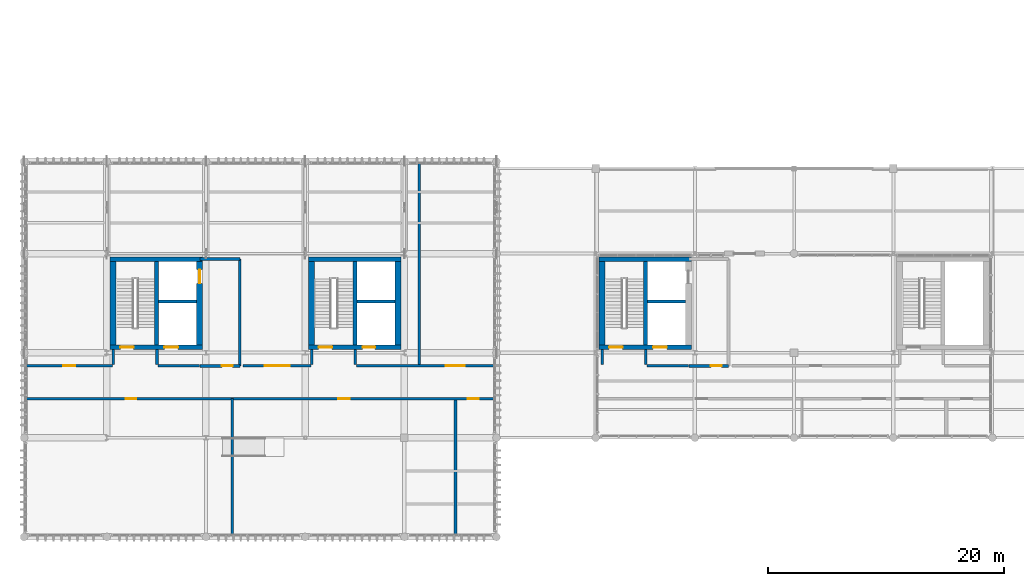
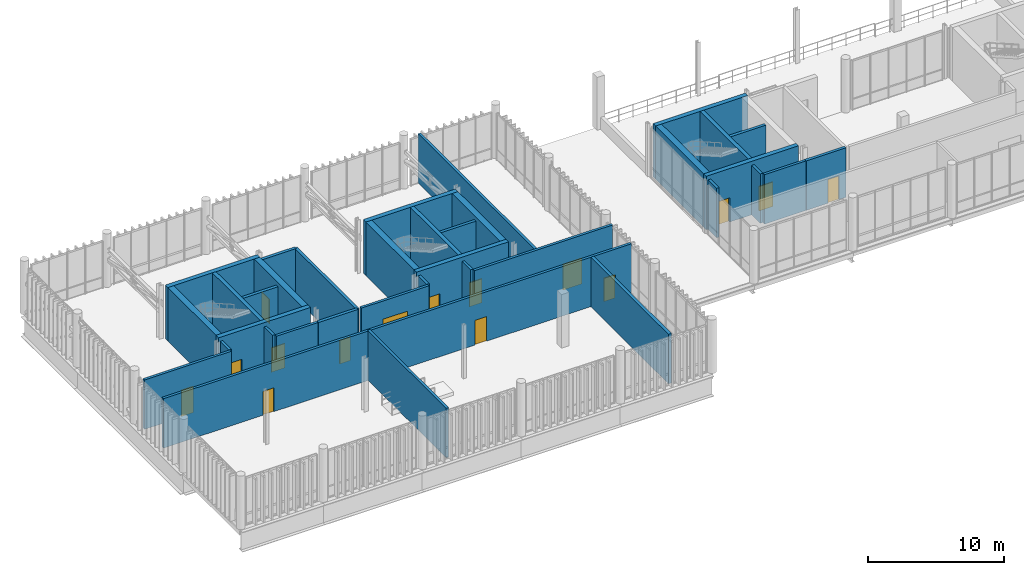
# One storey, part 70 of 81: 36 walls, 15 doors, 15 openings.
"""IFC4 building model written with IfcOpenShell, lengths in metres."""

from ifc_helpers import new_model, si_unit, direction, frame, frame_2d, origin_with_axes, place, context, subcontext, project, spatial, rectangle, extrude, material, layer, layer_set, type_object, element, fill, save


model = new_model("IFC4")

# Units and contexts
model_context = context("Model", 3, precision=1e-05, world=origin_with_axes(), true_north=direction((0.0, 1.0)))
body_context = subcontext(model_context, "Body", "Model", "MODEL_VIEW")
ifc_project = project(units=[si_unit("LENGTHUNIT", "METRE"), si_unit("AREAUNIT", "SQUARE_METRE"), si_unit("VOLUMEUNIT", "CUBIC_METRE"), si_unit("PLANEANGLEUNIT", "RADIAN"), si_unit("MASSUNIT", "GRAM", prefix="KILO"), si_unit("THERMODYNAMICTEMPERATUREUNIT", "KELVIN")], contexts=[model_context])

# Site, building, storey
site_placement = place(None, origin_with_axes())
site = spatial("IfcSite", under=ifc_project, at=site_placement, CompositionType="ELEMENT")
building_placement = place(site_placement, origin_with_axes())
building = spatial("IfcBuilding", under=site, at=building_placement, Name="Montbau Bow Law Courts", CompositionType="ELEMENT")
storey_placement = place(building_placement, frame((0.0, 0.0, 24.9), z_axis=(0.0, 0.0, 1.0), x_axis=(1.0, 0.0, 0.0)))
storey = spatial("IfcBuildingStorey", under=building, at=storey_placement, Name="L05", CompositionType="ELEMENT", Elevation=24.9)

# Wall, opening, door
ifc_material_1 = material(Name="Concrete CSA A23.1 f'c 45 MPa", Category="concrete")
ifc_layer_1 = layer(ifc_material_1, 0.5, Name="Shear Wall", Category="concrete")
ifc_layer_set_1 = layer_set([ifc_layer_1], Name="Concrete CSA A23.1 f'c 45 MPa")
wall_type_1 = type_object("IfcWallType", Name="W-COR-01", PredefinedType="SHEAR", material=ifc_layer_set_1)
wall_1_placement = place(None, frame((21.66, 46.87, 24.9), z_axis=(0.0, 0.0, 1.0), x_axis=(0.0, 1.0, 0.0)))
wall_1 = element("IfcWall", 1, at=wall_1_placement, inside=storey, type_object=wall_type_1, Name="WC-L05-0057:wal_0124", PredefinedType="SHEAR", context=body_context, shape_type="SweptSolid", body=[
    extrude(rectangle(XDim=7.060000000000002, YDim=0.5, at=frame_2d((3.53, 0.0), x_axis=(1.0, 0.0))), origin_with_axes(), (0.0, 0.0, 1.0), 4.8),
])
opening_1_placement = place(None, frame((21.66, 52.66, 24.9), z_axis=(0.0, 0.0, 1.0), x_axis=(0.0, 1.0, 0.0)))
opening_1 = element("IfcOpeningElement", 2, at=opening_1_placement, cuts=wall_1, Name="OP-LD-L05-EL-P2", PredefinedType="OPENING", context=body_context, shape_type="SweptSolid", body=[
    extrude(rectangle(XDim=1.16, YDim=2.2, at=frame_2d((0.0, 1.1), x_axis=(1.0, 0.0))), frame((0.0, 0.26, 0.0), z_axis=(0.0, -1.0, 0.0), x_axis=(1.0, 0.0, 0.0)), (0.0, 0.0, 1.0), 0.52),
])
ifc_material_2 = material(Name="Brushed Stainless Steel Elevator Landing Door", Category="steel")
door_type_1 = type_object("IfcDoorType", Name="LD-PUB-01", OperationType="NOTDEFINED", ParameterTakesPrecedence=False, PredefinedType="DOOR", material=ifc_material_2)
door_1_placement = place(None, frame((21.66, 52.66, 24.9), z_axis=(0.0, 0.0, 1.0), x_axis=(0.0, 1.0, 0.0)))
door_1 = element("IfcDoor", 3, at=door_1_placement, inside=storey, type_object=door_type_1, Name="LD-L05-EL-P2:dor_0063", OperationType="SLIDING_TO_LEFT", OverallHeight=2.2, OverallWidth=1.16, PredefinedType="DOOR", context=body_context, shape_type="SweptSolid", body=[
    extrude(rectangle(XDim=1.16, YDim=2.2, at=frame_2d((0.0, 1.1), x_axis=(1.0, 0.0))), frame((0.0, 0.04, 0.0), z_axis=(0.0, -1.0, 0.0), x_axis=(1.0, 0.0, 0.0)), (0.0, 0.0, 1.0), 0.08),
])
fill(opening_1, door_1)

# Walls
for number, where, z_axis, x_axis, name in (
    (4, (14.34, 53.93, 24.9), (0.0, 0.0, 1.0), (0.0, -1.0, 0.0), "WC-L05-0058:wal_0125"),
    (5, (38.46, 46.87, 24.9), (0.0, 0.0, 1.0), (0.0, 1.0, 0.0), "WC-L05-0120:wal_0187"),
    (6, (31.14, 53.93, 24.9), (0.0, 0.0, 1.0), (0.0, -1.0, 0.0), "WC-L05-0121:wal_0188"),
    (7, (55.74, 53.93, 24.9), (0.0, 0.0, 1.0), (0.0, -1.0, 0.0), "WC-L05-0190:wal_0257"),
):
    element("IfcWall", number, at=place(None, frame(where, z_axis=z_axis, x_axis=x_axis)), inside=storey, type_object=wall_type_1, Name=name, PredefinedType="SHEAR", context=body_context, shape_type="SweptSolid", body=[
        extrude(rectangle(XDim=7.060000000000002, YDim=0.5, at=frame_2d((3.53, 0.0), x_axis=(1.0, 0.0))), origin_with_axes(), (0.0, 0.0, 1.0), 4.8),
    ])

# Wall, openings, doors
ifc_layer_2 = layer(ifc_material_1, 0.38, Name="Shear Wall", Category="concrete")
ifc_layer_set_2 = layer_set([ifc_layer_2], Name="Concrete CSA A23.1 f'c 45 MPa")
wall_type_2 = type_object("IfcWallType", Name="W-COR-04", PredefinedType="SHEAR", material=ifc_layer_set_2)
wall_2_placement = place(None, frame((14.09, 46.68, 24.9), z_axis=(0.0, 0.0, 1.0), x_axis=(1.0, 0.0, 0.0)))
wall_2 = element("IfcWall", 8, at=wall_2_placement, inside=storey, type_object=wall_type_2, Name="WC-L05-0055:wal_0122", PredefinedType="SHEAR", context=body_context, shape_type="SweptSolid", body=[
    extrude(rectangle(XDim=7.82, YDim=0.38, at=frame_2d((3.91, 0.0), x_axis=(1.0, 0.0))), origin_with_axes(), (0.0, 0.0, 1.0), 4.8),
])
opening_2_placement = place(None, frame((15.51, 46.68, 24.9), z_axis=(0.0, 0.0, 1.0), x_axis=(1.0, 0.0, 0.0)))
opening_2 = element("IfcOpeningElement", 9, at=opening_2_placement, cuts=wall_2, Name="OP-D-L05-ST-P1", PredefinedType="OPENING", context=body_context, shape_type="SweptSolid", body=[
    extrude(rectangle(XDim=1.14, YDim=2.18, at=frame_2d((0.0, 1.09), x_axis=(1.0, 0.0))), frame((0.0, 0.2, 0.0), z_axis=(0.0, -1.0, 0.0), x_axis=(1.0, 0.0, 0.0)), (0.0, 0.0, 1.0), 0.4),
])
opening_3_placement = place(None, frame((19.25, 46.68, 24.9), z_axis=(0.0, 0.0, 1.0), x_axis=(1.0, 0.0, 0.0)))
opening_3 = element("IfcOpeningElement", 10, at=opening_3_placement, cuts=wall_2, Name="OP-LD-L05-EL-P1", PredefinedType="OPENING", context=body_context, shape_type="SweptSolid", body=[
    extrude(rectangle(XDim=1.16, YDim=2.2, at=frame_2d((0.0, 1.1), x_axis=(1.0, 0.0))), frame((0.0, 0.2, 0.0), z_axis=(0.0, -1.0, 0.0), x_axis=(1.0, 0.0, 0.0)), (0.0, 0.0, 1.0), 0.4),
])
ifc_material_3 = material(Name="1.5 h Fire-Rated Hollow-Metal Exit Stair Door", Category="steel")
door_type_2 = type_object("IfcDoorType", Name="D-ST-01", OperationType="NOTDEFINED", ParameterTakesPrecedence=False, PredefinedType="DOOR", material=ifc_material_3)
door_2_placement = place(None, frame((15.51, 46.68, 24.9), z_axis=(0.0, 0.0, 1.0), x_axis=(-1.0, 0.0, 0.0)))
door_2 = element("IfcDoor", 11, at=door_2_placement, inside=storey, type_object=door_type_2, Name="D-L05-ST-P1:dor_0061", OperationType="SINGLE_SWING_RIGHT", OverallHeight=2.18, OverallWidth=1.14, PredefinedType="DOOR", context=body_context, shape_type="SweptSolid", body=[
    extrude(rectangle(XDim=1.14, YDim=2.18, at=frame_2d((0.0, 1.09), x_axis=(1.0, 0.0))), frame((0.0, 0.04, 0.0), z_axis=(0.0, -1.0, 0.0), x_axis=(1.0, 0.0, 0.0)), (0.0, 0.0, 1.0), 0.08),
])
fill(opening_2, door_2)
door_3_placement = place(None, frame((19.25, 46.68, 24.9), z_axis=(0.0, 0.0, 1.0), x_axis=(-1.0, 0.0, 0.0)))
door_3 = element("IfcDoor", 12, at=door_3_placement, inside=storey, type_object=door_type_1, Name="LD-L05-EL-P1:dor_0062", OperationType="SLIDING_TO_LEFT", OverallHeight=2.2, OverallWidth=1.16, PredefinedType="DOOR", context=body_context, shape_type="SweptSolid", body=[
    extrude(rectangle(XDim=1.16, YDim=2.2, at=frame_2d((0.0, 1.1), x_axis=(1.0, 0.0))), frame((0.0, 0.04, 0.0), z_axis=(0.0, -1.0, 0.0), x_axis=(1.0, 0.0, 0.0)), (0.0, 0.0, 1.0), 0.08),
])
fill(opening_3, door_3)

# Wall
wall_3_placement = place(None, frame((21.91, 54.12, 24.9), z_axis=(0.0, 0.0, 1.0), x_axis=(-1.0, 0.0, 0.0)))
element("IfcWall", 13, at=wall_3_placement, inside=storey, type_object=wall_type_2, Name="WC-L05-0056:wal_0123", PredefinedType="SHEAR", context=body_context, shape_type="SweptSolid", body=[
    extrude(rectangle(XDim=7.82, YDim=0.38, at=frame_2d((3.91, 0.0), x_axis=(1.0, 0.0))), origin_with_axes(), (0.0, 0.0, 1.0), 4.8),
])

# Wall, openings, doors
wall_4_placement = place(None, frame((30.89, 46.68, 24.9), z_axis=(0.0, 0.0, 1.0), x_axis=(1.0, 0.0, 0.0)))
wall_4 = element("IfcWall", 14, at=wall_4_placement, inside=storey, type_object=wall_type_2, Name="WC-L05-0118:wal_0185", PredefinedType="SHEAR", context=body_context, shape_type="SweptSolid", body=[
    extrude(rectangle(XDim=7.82, YDim=0.38, at=frame_2d((3.91, 0.0), x_axis=(1.0, 0.0))), origin_with_axes(), (0.0, 0.0, 1.0), 4.8),
])
opening_4_placement = place(None, frame((32.31, 46.68, 24.9), z_axis=(0.0, 0.0, 1.0), x_axis=(1.0, 0.0, 0.0)))
opening_4 = element("IfcOpeningElement", 15, at=opening_4_placement, cuts=wall_4, Name="OP-D-L05-ST-J1", PredefinedType="OPENING", context=body_context, shape_type="SweptSolid", body=[
    extrude(rectangle(XDim=1.14, YDim=2.18, at=frame_2d((0.0, 1.09), x_axis=(1.0, 0.0))), frame((0.0, 0.2, 0.0), z_axis=(0.0, -1.0, 0.0), x_axis=(1.0, 0.0, 0.0)), (0.0, 0.0, 1.0), 0.4),
])
opening_5_placement = place(None, frame((36.0, 46.68, 24.9), z_axis=(0.0, 0.0, 1.0), x_axis=(1.0, 0.0, 0.0)))
opening_5 = element("IfcOpeningElement", 16, at=opening_5_placement, cuts=wall_4, Name="OP-LD-L05-EL-J1", PredefinedType="OPENING", context=body_context, shape_type="SweptSolid", body=[
    extrude(rectangle(XDim=1.06, YDim=2.16, at=frame_2d((0.0, 1.08), x_axis=(1.0, 0.0))), frame((0.0, 0.2, 0.0), z_axis=(0.0, -1.0, 0.0), x_axis=(1.0, 0.0, 0.0)), (0.0, 0.0, 1.0), 0.4),
])
door_4_placement = place(None, frame((32.31, 46.68, 24.9), z_axis=(0.0, 0.0, 1.0), x_axis=(-1.0, 0.0, 0.0)))
door_4 = element("IfcDoor", 17, at=door_4_placement, inside=storey, type_object=door_type_2, Name="D-L05-ST-J1:dor_0085", OperationType="SINGLE_SWING_LEFT", OverallHeight=2.18, OverallWidth=1.14, PredefinedType="DOOR", context=body_context, shape_type="SweptSolid", body=[
    extrude(rectangle(XDim=1.14, YDim=2.18, at=frame_2d((0.0, 1.09), x_axis=(1.0, 0.0))), frame((0.0, 0.04, 0.0), z_axis=(0.0, -1.0, 0.0), x_axis=(1.0, 0.0, 0.0)), (0.0, 0.0, 1.0), 0.08),
])
fill(opening_4, door_4)
ifc_material_4 = material(Name="Bronze-Clad Judicial Elevator Landing Door", Category="steel")
door_type_3 = type_object("IfcDoorType", Name="LD-JUD-01", OperationType="NOTDEFINED", ParameterTakesPrecedence=False, PredefinedType="DOOR", material=ifc_material_4)
door_5_placement = place(None, frame((36.0, 46.68, 24.9), z_axis=(0.0, 0.0, 1.0), x_axis=(-1.0, 0.0, 0.0)))
door_5 = element("IfcDoor", 18, at=door_5_placement, inside=storey, type_object=door_type_3, Name="LD-L05-EL-J1:dor_0086", OperationType="SLIDING_TO_LEFT", OverallHeight=2.16, OverallWidth=1.06, PredefinedType="DOOR", context=body_context, shape_type="SweptSolid", body=[
    extrude(rectangle(XDim=1.06, YDim=2.16, at=frame_2d((0.0, 1.08), x_axis=(1.0, 0.0))), frame((0.0, 0.04, 0.0), z_axis=(0.0, -1.0, 0.0), x_axis=(1.0, 0.0, 0.0)), (0.0, 0.0, 1.0), 0.08),
])
fill(opening_5, door_5)

# Wall
wall_5_placement = place(None, frame((38.71, 54.12, 24.9), z_axis=(0.0, 0.0, 1.0), x_axis=(-1.0, 0.0, 0.0)))
element("IfcWall", 19, at=wall_5_placement, inside=storey, type_object=wall_type_2, Name="WC-L05-0119:wal_0186", PredefinedType="SHEAR", context=body_context, shape_type="SweptSolid", body=[
    extrude(rectangle(XDim=7.82, YDim=0.38, at=frame_2d((3.91, 0.0), x_axis=(1.0, 0.0))), origin_with_axes(), (0.0, 0.0, 1.0), 4.8),
])

# Wall, openings, doors
wall_6_placement = place(None, frame((55.49, 46.68, 24.9), z_axis=(0.0, 0.0, 1.0), x_axis=(1.0, 0.0, 0.0)))
wall_6 = element("IfcWall", 20, at=wall_6_placement, inside=storey, type_object=wall_type_2, Name="WC-L05-0187:wal_0254", PredefinedType="SHEAR", context=body_context, shape_type="SweptSolid", body=[
    extrude(rectangle(XDim=7.82, YDim=0.38, at=frame_2d((3.91, 0.0), x_axis=(1.0, 0.0))), origin_with_axes(), (0.0, 0.0, 1.0), 4.8),
])
opening_6_placement = place(None, frame((56.91, 46.68, 24.9), z_axis=(0.0, 0.0, 1.0), x_axis=(1.0, 0.0, 0.0)))
opening_6 = element("IfcOpeningElement", 21, at=opening_6_placement, cuts=wall_6, Name="OP-D-L05-ST-P4", PredefinedType="OPENING", context=body_context, shape_type="SweptSolid", body=[
    extrude(rectangle(XDim=1.14, YDim=2.18, at=frame_2d((0.0, 1.09), x_axis=(1.0, 0.0))), frame((0.0, 0.2, 0.0), z_axis=(0.0, -1.0, 0.0), x_axis=(1.0, 0.0, 0.0)), (0.0, 0.0, 1.0), 0.4),
])
opening_7_placement = place(None, frame((60.65, 46.68, 24.9), z_axis=(0.0, 0.0, 1.0), x_axis=(1.0, 0.0, 0.0)))
opening_7 = element("IfcOpeningElement", 22, at=opening_7_placement, cuts=wall_6, Name="OP-LD-L05-EL-P3", PredefinedType="OPENING", context=body_context, shape_type="SweptSolid", body=[
    extrude(rectangle(XDim=1.16, YDim=2.2, at=frame_2d((0.0, 1.1), x_axis=(1.0, 0.0))), frame((0.0, 0.2, 0.0), z_axis=(0.0, -1.0, 0.0), x_axis=(1.0, 0.0, 0.0)), (0.0, 0.0, 1.0), 0.4),
])
door_6_placement = place(None, frame((56.91, 46.68, 24.9), z_axis=(0.0, 0.0, 1.0), x_axis=(-1.0, 0.0, 0.0)))
door_6 = element("IfcDoor", 23, at=door_6_placement, inside=storey, type_object=door_type_2, Name="D-L05-ST-P4:dor_0113", OperationType="SINGLE_SWING_RIGHT", OverallHeight=2.18, OverallWidth=1.14, PredefinedType="DOOR", context=body_context, shape_type="SweptSolid", body=[
    extrude(rectangle(XDim=1.14, YDim=2.18, at=frame_2d((0.0, 1.09), x_axis=(1.0, 0.0))), frame((0.0, 0.04, 0.0), z_axis=(0.0, -1.0, 0.0), x_axis=(1.0, 0.0, 0.0)), (0.0, 0.0, 1.0), 0.08),
])
fill(opening_6, door_6)
door_7_placement = place(None, frame((60.65, 46.68, 24.9), z_axis=(0.0, 0.0, 1.0), x_axis=(-1.0, 0.0, 0.0)))
door_7 = element("IfcDoor", 24, at=door_7_placement, inside=storey, type_object=door_type_1, Name="LD-L05-EL-P3:dor_0114", OperationType="SLIDING_TO_LEFT", OverallHeight=2.2, OverallWidth=1.16, PredefinedType="DOOR", context=body_context, shape_type="SweptSolid", body=[
    extrude(rectangle(XDim=1.16, YDim=2.2, at=frame_2d((0.0, 1.1), x_axis=(1.0, 0.0))), frame((0.0, 0.04, 0.0), z_axis=(0.0, -1.0, 0.0), x_axis=(1.0, 0.0, 0.0)), (0.0, 0.0, 1.0), 0.08),
])
fill(opening_7, door_7)

# Walls
wall_7_placement = place(None, frame((63.31, 54.12, 24.9), z_axis=(0.0, 0.0, 1.0), x_axis=(-1.0, 0.0, 0.0)))
element("IfcWall", 25, at=wall_7_placement, inside=storey, type_object=wall_type_2, Name="WC-L05-0188:wal_0255", PredefinedType="SHEAR", context=body_context, shape_type="SweptSolid", body=[
    extrude(rectangle(XDim=7.82, YDim=0.38, at=frame_2d((3.91, 0.0), x_axis=(1.0, 0.0))), origin_with_axes(), (0.0, 0.0, 1.0), 4.8),
])
ifc_layer_3 = layer(ifc_material_1, 0.32, Name="Shear Wall", Category="concrete")
ifc_layer_set_3 = layer_set([ifc_layer_3], Name="Concrete CSA A23.1 f'c 45 MPa")
wall_type_3 = type_object("IfcWallType", Name="W-COR-05", PredefinedType="SHEAR", material=ifc_layer_set_3)
for number, where, z_axis, x_axis, name in (
    (26, (18.02, 46.87, 24.9), (0.0, 0.0, 1.0), (0.0, 1.0, 0.0), "WS-L05-0059:wal_0126"),
    (27, (34.82, 46.87, 24.9), (0.0, 0.0, 1.0), (0.0, 1.0, 0.0), "WS-L05-0122:wal_0189"),
    (28, (59.42, 46.87, 24.9), (0.0, 0.0, 1.0), (0.0, 1.0, 0.0), "WS-L05-0191:wal_0258"),
):
    element("IfcWall", number, at=place(None, frame(where, z_axis=z_axis, x_axis=x_axis)), inside=storey, type_object=wall_type_3, Name=name, PredefinedType="SHEAR", context=body_context, shape_type="SweptSolid", body=[
        extrude(rectangle(XDim=7.060000000000002, YDim=0.32, at=frame_2d((3.53, 0.0), x_axis=(1.0, 0.0))), origin_with_axes(), (0.0, 0.0, 1.0), 4.8),
    ])
ifc_material_5 = material(Name="Double-Stud Acoustic Plumbing Chase Gypsum Assembly", Category="gypsum")
ifc_layer_4 = layer(ifc_material_5, 0.26, Name="Plumbing Wall", Category="gypsum")
ifc_layer_set_4 = layer_set([ifc_layer_4], Name="Double-Stud Acoustic Plumbing Chase Gypsum Assembly")
wall_type_4 = type_object("IfcWallType", Name="W-PLM-01", PredefinedType="PLUMBINGWALL", material=ifc_layer_set_4)
wall_8_placement = place(None, frame((43.34, 30.78, 24.9), z_axis=(0.0, 0.0, 1.0), x_axis=(0.0, 1.0, 0.0)))
element("IfcWall", 29, at=wall_8_placement, inside=storey, type_object=wall_type_4, Name="WD-L05-0848:wal_0915", PredefinedType="PLUMBINGWALL", context=body_context, shape_type="SweptSolid", body=[
    extrude(rectangle(XDim=11.43, YDim=0.26, at=frame_2d((5.715, 0.0), x_axis=(1.0, 0.0))), origin_with_axes(), (0.0, 0.0, 1.0), 4.44),
])
ifc_material_6 = material(Name="2 h Shaft and Exit-Passage Fire Separation Partition", Category="gypsum")
ifc_layer_5 = layer(ifc_material_6, 0.25, Name="Partition", Category="gypsum")
ifc_layer_set_5 = layer_set([ifc_layer_5], Name="2 h Shaft and Exit-Passage Fire Separation Partition")
wall_type_5 = type_object("IfcWallType", Name="W-PRT-01", PredefinedType="PARTITIONING", material=ifc_layer_set_5)
wall_9_placement = place(None, frame((18.18, 50.549, 24.9), z_axis=(0.0, 0.0, 1.0), x_axis=(1.0, 0.0, 0.0)))
element("IfcWall", 30, at=wall_9_placement, inside=storey, type_object=wall_type_5, Name="WS-L05-0060:wal_0127", PredefinedType="PARTITIONING", context=body_context, shape_type="SweptSolid", body=[
    extrude(rectangle(XDim=3.2300000000000004, YDim=0.25, at=frame_2d((1.615, 0.0), x_axis=(1.0, 0.0))), origin_with_axes(), (0.0, 0.0, 1.0), 4.44),
])
wall_10_placement = place(None, frame((25.06, 45.09, 24.9), z_axis=(0.0, 0.0, 1.0), x_axis=(0.0, 1.0, 0.0)))
element("IfcWall", 31, at=wall_10_placement, inside=storey, type_object=wall_type_5, Name="WEL-L05-0061:wal_0128", PredefinedType="PARTITIONING", context=body_context, shape_type="SweptSolid", body=[
    extrude(rectangle(XDim=9.029999999999994, YDim=0.25, at=frame_2d((4.515, 0.0), x_axis=(1.0, 0.0))), origin_with_axes(), (0.0, 0.0, 1.0), 4.44),
])
wall_11_placement = place(None, frame((21.7, 54.12, 24.9), z_axis=(0.0, 0.0, 1.0), x_axis=(1.0, 0.0, 0.0)))
element("IfcWall", 32, at=wall_11_placement, inside=storey, type_object=wall_type_5, Name="WEL-L05-0062:wal_0129", PredefinedType="PARTITIONING", context=body_context, shape_type="SweptSolid", body=[
    extrude(rectangle(XDim=3.3599999999999994, YDim=0.25, at=frame_2d((1.68, 0.0), x_axis=(1.0, 0.0))), origin_with_axes(), (0.0, 0.0, 1.0), 4.44),
])

# Wall, opening, door
wall_12_placement = place(None, frame((21.7, 45.09, 24.9), z_axis=(0.0, 0.0, 1.0), x_axis=(1.0, 0.0, 0.0)))
wall_12 = element("IfcWall", 33, at=wall_12_placement, inside=storey, type_object=wall_type_5, Name="WEL-L05-0063:wal_0130", PredefinedType="PARTITIONING", context=body_context, shape_type="SweptSolid", body=[
    extrude(rectangle(XDim=3.3599999999999994, YDim=0.25, at=frame_2d((1.68, 0.0), x_axis=(1.0, 0.0))), origin_with_axes(), (0.0, 0.0, 1.0), 4.44),
])
opening_8_placement = place(None, frame((24.005, 45.09, 24.9), z_axis=(0.0, 0.0, 1.0), x_axis=(1.0, 0.0, 0.0)))
opening_8 = element("IfcOpeningElement", 34, at=opening_8_placement, cuts=wall_12, Name="OP-D-L05-ELB-CORE-W1", PredefinedType="OPENING", context=body_context, shape_type="SweptSolid", body=[
    extrude(rectangle(XDim=0.91, YDim=2.12, at=frame_2d((0.0, 1.06), x_axis=(1.0, 0.0))), frame((0.0, 0.135, 0.0), z_axis=(0.0, -1.0, 0.0), x_axis=(1.0, 0.0, 0.0)), (0.0, 0.0, 1.0), 0.27),
])
ifc_material_7 = material(Name="Public and Judicial Washroom Solid-Core Door", Category="wood")
door_type_4 = type_object("IfcDoorType", Name="D-WC-02", OperationType="NOTDEFINED", ParameterTakesPrecedence=False, PredefinedType="DOOR", material=ifc_material_7)
door_8_placement = place(None, frame((24.005, 45.09, 24.9), z_axis=(0.0, 0.0, 1.0), x_axis=(1.0, 0.0, 0.0)))
door_8 = element("IfcDoor", 35, at=door_8_placement, inside=storey, type_object=door_type_4, Name="D-L05-ELB-CORE-W1:dor_0064", OperationType="SINGLE_SWING_LEFT", OverallHeight=2.12, OverallWidth=0.91, PredefinedType="DOOR", context=body_context, shape_type="SweptSolid", body=[
    extrude(rectangle(XDim=0.91, YDim=2.12, at=frame_2d((0.0, 1.06), x_axis=(1.0, 0.0))), frame((0.0, 0.04, 0.0), z_axis=(0.0, -1.0, 0.0), x_axis=(1.0, 0.0, 0.0)), (0.0, 0.0, 1.0), 0.08),
])
fill(opening_8, door_8)

# Walls
for number, where, z_axis, x_axis, name in (
    (36, (34.98, 50.549, 24.9), (0.0, 0.0, 1.0), (1.0, 0.0, 0.0), "WS-L05-0123:wal_0190"),
    (37, (59.58, 50.549, 24.9), (0.0, 0.0, 1.0), (1.0, 0.0, 0.0), "WS-L05-0192:wal_0259"),
):
    element("IfcWall", number, at=place(None, frame(where, z_axis=z_axis, x_axis=x_axis)), inside=storey, type_object=wall_type_5, Name=name, PredefinedType="PARTITIONING", context=body_context, shape_type="SweptSolid", body=[
        extrude(rectangle(XDim=3.230000000000004, YDim=0.25, at=frame_2d((1.615, 0.0), x_axis=(1.0, 0.0))), origin_with_axes(), (0.0, 0.0, 1.0), 4.44),
    ])

# Wall, opening, door
wall_13_placement = place(None, frame((63.1, 45.09, 24.9), z_axis=(0.0, 0.0, 1.0), x_axis=(1.0, 0.0, 0.0)))
wall_13 = element("IfcWall", 38, at=wall_13_placement, inside=storey, type_object=wall_type_5, Name="WEL-L05-0195:wal_0262", PredefinedType="PARTITIONING", context=body_context, shape_type="SweptSolid", body=[
    extrude(rectangle(XDim=3.3599999999999923, YDim=0.25, at=frame_2d((1.68, 0.0), x_axis=(1.0, 0.0))), origin_with_axes(), (0.0, 0.0, 1.0), 4.44),
])
opening_9_placement = place(None, frame((65.405, 45.09, 24.9), z_axis=(0.0, 0.0, 1.0), x_axis=(1.0, 0.0, 0.0)))
opening_9 = element("IfcOpeningElement", 39, at=opening_9_placement, cuts=wall_13, Name="OP-D-L05-ELB-CORE-C1", PredefinedType="OPENING", context=body_context, shape_type="SweptSolid", body=[
    extrude(rectangle(XDim=0.91, YDim=2.12, at=frame_2d((0.0, 1.06), x_axis=(1.0, 0.0))), frame((0.0, 0.135, 0.0), z_axis=(0.0, -1.0, 0.0), x_axis=(1.0, 0.0, 0.0)), (0.0, 0.0, 1.0), 0.27),
])
door_9_placement = place(None, frame((65.405, 45.09, 24.9), z_axis=(0.0, 0.0, 1.0), x_axis=(1.0, 0.0, 0.0)))
door_9 = element("IfcDoor", 40, at=door_9_placement, inside=storey, type_object=door_type_4, Name="D-L05-ELB-CORE-C1:dor_0116", OperationType="SINGLE_SWING_LEFT", OverallHeight=2.12, OverallWidth=0.91, PredefinedType="DOOR", context=body_context, shape_type="SweptSolid", body=[
    extrude(rectangle(XDim=0.91, YDim=2.12, at=frame_2d((0.0, 1.06), x_axis=(1.0, 0.0))), frame((0.0, 0.04, 0.0), z_axis=(0.0, -1.0, 0.0), x_axis=(1.0, 0.0, 0.0)), (0.0, 0.0, 1.0), 0.08),
])
fill(opening_9, door_9)

# Walls
ifc_material_8 = material(Name="STC-60 High-Acoustic Courtroom Perimeter Partition", Category="gypsum")
ifc_layer_6 = layer(ifc_material_8, 0.22, Name="Partition", Category="gypsum")
ifc_layer_set_6 = layer_set([ifc_layer_6], Name="STC-60 High-Acoustic Courtroom Perimeter Partition")
wall_type_6 = type_object("IfcWallType", Name="W-PRT-02", PredefinedType="PARTITIONING", material=ifc_layer_set_6)
for number, where, z_axis, x_axis, name in (
    (41, (14.34, 45.22, 24.9), (0.0, 0.0, 1.0), (0.0, 1.0, 0.0), "WCX-L05-0839:wal_0906"),
    (42, (18.05, 45.22, 24.9), (0.0, 0.0, 1.0), (0.0, 1.0, 0.0), "WCX-L05-0840:wal_0907"),
    (43, (31.14, 45.22, 24.9), (0.0, 0.0, 1.0), (0.0, 1.0, 0.0), "WCX-L05-0841:wal_0908"),
    (44, (34.85, 45.22, 24.9), (0.0, 0.0, 1.0), (0.0, 1.0, 0.0), "WCX-L05-0842:wal_0909"),
):
    element("IfcWall", number, at=place(None, frame(where, z_axis=z_axis, x_axis=x_axis)), inside=storey, type_object=wall_type_6, Name=name, PredefinedType="PARTITIONING", context=body_context, shape_type="SweptSolid", body=[
        extrude(rectangle(XDim=1.259999999999998, YDim=0.22, at=frame_2d((0.63, 0.0), x_axis=(1.0, 0.0))), origin_with_axes(), (0.0, 0.0, 1.0), 4.44),
    ])

# Wall, opening, door
wall_14_placement = place(None, frame((6.94, 45.09, 24.9), z_axis=(0.0, 0.0, 1.0), x_axis=(1.0, 0.0, 0.0)))
wall_14 = element("IfcWall", 45, at=wall_14_placement, inside=storey, type_object=wall_type_6, Name="WP-L05-0843:wal_0910", PredefinedType="PARTITIONING", context=body_context, shape_type="SweptSolid", body=[
    extrude(rectangle(XDim=7.36, YDim=0.22, at=frame_2d((3.68, 0.0), x_axis=(1.0, 0.0))), origin_with_axes(), (0.0, 0.0, 1.0), 4.44),
])
opening_10_placement = place(None, frame((10.62, 45.09, 24.9), z_axis=(0.0, 0.0, 1.0), x_axis=(1.0, 0.0, 0.0)))
opening_10 = element("IfcOpeningElement", 46, at=opening_10_placement, cuts=wall_14, Name="OP-D-L05-354", PredefinedType="OPENING", context=body_context, shape_type="SweptSolid", body=[
    extrude(rectangle(XDim=1.02, YDim=2.36, at=frame_2d((0.0, 1.18), x_axis=(1.0, 0.0))), frame((0.0, 0.12, 0.0), z_axis=(0.0, -1.0, 0.0), x_axis=(1.0, 0.0, 0.0)), (0.0, 0.0, 1.0), 0.24),
])
ifc_material_9 = material(Name="Judge Bench Private Entry Acoustic Oak Door", Category="wood")
door_type_5 = type_object("IfcDoorType", Name="D-CRT-05", OperationType="NOTDEFINED", ParameterTakesPrecedence=False, PredefinedType="DOOR", material=ifc_material_9)
door_10_placement = place(None, frame((10.62, 45.09, 24.9), z_axis=(0.0, 0.0, 1.0), x_axis=(-1.0, 0.0, 0.0)))
door_10 = element("IfcDoor", 47, at=door_10_placement, inside=storey, type_object=door_type_5, Name="D-L05-354:dor_0389", OperationType="SINGLE_SWING_RIGHT", OverallHeight=2.36, OverallWidth=1.02, PredefinedType="DOOR", context=body_context, shape_type="SweptSolid", body=[
    extrude(rectangle(XDim=1.02, YDim=2.36, at=frame_2d((0.0, 1.18), x_axis=(1.0, 0.0))), frame((0.0, 0.04, 0.0), z_axis=(0.0, -1.0, 0.0), x_axis=(1.0, 0.0, 0.0)), (0.0, 0.0, 1.0), 0.08),
])
fill(opening_10, door_10)

# Wall
wall_15_placement = place(None, frame((18.15, 45.09, 24.9), z_axis=(0.0, 0.0, 1.0), x_axis=(1.0, 0.0, 0.0)))
element("IfcWall", 48, at=wall_15_placement, inside=storey, type_object=wall_type_6, Name="WP-L05-0844:wal_0911", PredefinedType="PARTITIONING", context=body_context, shape_type="SweptSolid", body=[
    extrude(rectangle(XDim=3.5100000000000016, YDim=0.22, at=frame_2d((1.755, 0.0), x_axis=(1.0, 0.0))), origin_with_axes(), (0.0, 0.0, 1.0), 4.44),
])

# Wall, opening, door
wall_16_placement = place(None, frame((25.355, 45.09, 24.9), z_axis=(0.0, 0.0, 1.0), x_axis=(1.0, 0.0, 0.0)))
wall_16 = element("IfcWall", 49, at=wall_16_placement, inside=storey, type_object=wall_type_6, Name="WP-L05-0845:wal_0912", PredefinedType="PARTITIONING", context=body_context, shape_type="SweptSolid", body=[
    extrude(rectangle(XDim=5.745000000000001, YDim=0.22, at=frame_2d((2.8725, 0.0), x_axis=(1.0, 0.0))), origin_with_axes(), (0.0, 0.0, 1.0), 4.44),
])
opening_11_placement = place(None, frame((28.227, 45.09, 24.9), z_axis=(0.0, 0.0, 1.0), x_axis=(1.0, 0.0, 0.0)))
opening_11 = element("IfcOpeningElement", 50, at=opening_11_placement, cuts=wall_16, Name="OP-D-L05-355", PredefinedType="OPENING", context=body_context, shape_type="SweptSolid", body=[
    extrude(rectangle(XDim=2.1, YDim=2.8, at=frame_2d((0.0, 1.4), x_axis=(1.0, 0.0))), frame((0.0, 0.12, 0.0), z_axis=(0.0, -1.0, 0.0), x_axis=(1.0, 0.0, 0.0)), (0.0, 0.0, 1.0), 0.24),
])
ifc_material_10 = material(Name="Monumental Acoustic White-Oak Ceremonial Courtroom Double Door", Category="wood")
door_type_6 = type_object("IfcDoorType", Name="D-CRT-01", OperationType="NOTDEFINED", ParameterTakesPrecedence=False, PredefinedType="DOOR", material=ifc_material_10)
door_11_placement = place(None, frame((28.227, 45.09, 24.9), z_axis=(0.0, 0.0, 1.0), x_axis=(-1.0, 0.0, 0.0)))
door_11 = element("IfcDoor", 51, at=door_11_placement, inside=storey, type_object=door_type_6, Name="D-L05-355:dor_0390", OperationType="DOUBLE_DOOR_SINGLE_SWING", OverallHeight=2.8, OverallWidth=2.1, PredefinedType="DOOR", context=body_context, shape_type="SweptSolid", body=[
    extrude(rectangle(XDim=2.1, YDim=2.8, at=frame_2d((0.0, 1.4), x_axis=(1.0, 0.0))), frame((0.0, 0.04, 0.0), z_axis=(0.0, -1.0, 0.0), x_axis=(1.0, 0.0, 0.0)), (0.0, 0.0, 1.0), 0.08),
])
fill(opening_11, door_11)

wall_17_placement = place(None, frame((34.95, 45.09, 24.9), z_axis=(0.0, 0.0, 1.0), x_axis=(1.0, 0.0, 0.0)))
wall_17 = element("IfcWall", 52, at=wall_17_placement, inside=storey, type_object=wall_type_6, Name="WP-L05-0846:wal_0913", PredefinedType="PARTITIONING", context=body_context, shape_type="SweptSolid", body=[
    extrude(rectangle(XDim=11.709999999999994, YDim=0.22, at=frame_2d((5.855, 0.0), x_axis=(1.0, 0.0))), origin_with_axes(), (0.0, 0.0, 1.0), 4.44),
])
opening_12_placement = place(None, frame((43.293, 45.09, 24.9), z_axis=(0.0, 0.0, 1.0), x_axis=(1.0, 0.0, 0.0)))
opening_12 = element("IfcOpeningElement", 53, at=opening_12_placement, cuts=wall_17, Name="OP-D-L05-356", PredefinedType="OPENING", context=body_context, shape_type="SweptSolid", body=[
    extrude(rectangle(XDim=1.6, YDim=2.32, at=frame_2d((0.0, 1.16), x_axis=(1.0, 0.0))), frame((0.0, 0.12, 0.0), z_axis=(0.0, -1.0, 0.0), x_axis=(1.0, 0.0, 0.0)), (0.0, 0.0, 1.0), 0.24),
])
ifc_material_11 = material(Name="Jury Assembly Lounge Glazed Oak Double Door", Category="wood")
door_type_7 = type_object("IfcDoorType", Name="D-JUR-02", OperationType="NOTDEFINED", ParameterTakesPrecedence=False, PredefinedType="DOOR", material=ifc_material_11)
door_12_placement = place(None, frame((43.293, 45.09, 24.9), z_axis=(0.0, 0.0, 1.0), x_axis=(-1.0, 0.0, 0.0)))
door_12 = element("IfcDoor", 54, at=door_12_placement, inside=storey, type_object=door_type_7, Name="D-L05-356:dor_0391", OperationType="DOUBLE_DOOR_SINGLE_SWING", OverallHeight=2.32, OverallWidth=1.6, PredefinedType="DOOR", context=body_context, shape_type="SweptSolid", body=[
    extrude(rectangle(XDim=1.6, YDim=2.32, at=frame_2d((0.0, 1.16), x_axis=(1.0, 0.0))), frame((0.0, 0.04, 0.0), z_axis=(0.0, -1.0, 0.0), x_axis=(1.0, 0.0, 0.0)), (0.0, 0.0, 1.0), 0.08),
])
fill(opening_12, door_12)

# Wall, openings, doors
wall_18_placement = place(None, frame((6.94, 42.31, 24.9), z_axis=(0.0, 0.0, 1.0), x_axis=(1.0, 0.0, 0.0)))
wall_18 = element("IfcWall", 55, at=wall_18_placement, inside=storey, type_object=wall_type_6, Name="WP-L05-0847:wal_0914", PredefinedType="PARTITIONING", context=body_context, shape_type="SweptSolid", body=[
    extrude(rectangle(XDim=39.72, YDim=0.22, at=frame_2d((19.86, 0.0), x_axis=(1.0, 0.0))), origin_with_axes(), (0.0, 0.0, 1.0), 4.44),
])
opening_13_placement = place(None, frame((15.845, 42.31, 24.9), z_axis=(0.0, 0.0, 1.0), x_axis=(1.0, 0.0, 0.0)))
opening_13 = element("IfcOpeningElement", 56, at=opening_13_placement, cuts=wall_18, Name="OP-D-L05-357", PredefinedType="OPENING", context=body_context, shape_type="SweptSolid", body=[
    extrude(rectangle(XDim=0.92, YDim=2.14, at=frame_2d((0.0, 1.07), x_axis=(1.0, 0.0))), frame((0.0, 0.12, 0.0), z_axis=(0.0, -1.0, 0.0), x_axis=(1.0, 0.0, 0.0)), (0.0, 0.0, 1.0), 0.24),
])
opening_14_placement = place(None, frame((33.883, 42.31, 24.9), z_axis=(0.0, 0.0, 1.0), x_axis=(1.0, 0.0, 0.0)))
opening_14 = element("IfcOpeningElement", 57, at=opening_14_placement, cuts=wall_18, Name="OP-D-L05-358", PredefinedType="OPENING", context=body_context, shape_type="SweptSolid", body=[
    extrude(rectangle(XDim=0.99, YDim=2.22, at=frame_2d((0.0, 1.11), x_axis=(1.0, 0.0))), frame((0.0, 0.12, 0.0), z_axis=(0.0, -1.0, 0.0), x_axis=(1.0, 0.0, 0.0)), (0.0, 0.0, 1.0), 0.24),
])
opening_15_placement = place(None, frame((44.838, 42.31, 24.9), z_axis=(0.0, 0.0, 1.0), x_axis=(1.0, 0.0, 0.0)))
opening_15 = element("IfcOpeningElement", 58, at=opening_15_placement, cuts=wall_18, Name="OP-D-L05-359", PredefinedType="OPENING", context=body_context, shape_type="SweptSolid", body=[
    extrude(rectangle(XDim=0.95, YDim=2.1, at=frame_2d((0.0, 1.05), x_axis=(1.0, 0.0))), frame((0.0, 0.12, 0.0), z_axis=(0.0, -1.0, 0.0), x_axis=(1.0, 0.0, 0.0)), (0.0, 0.0, 1.0), 0.24),
])
ifc_material_12 = material(Name="STC-52 Jury Deliberation Suite Solid-Core Oak Door", Category="wood")
door_type_8 = type_object("IfcDoorType", Name="D-JUR-01", OperationType="NOTDEFINED", ParameterTakesPrecedence=False, PredefinedType="DOOR", material=ifc_material_12)
door_13_placement = place(None, frame((33.883, 42.31, 24.9), z_axis=(0.0, 0.0, 1.0), x_axis=(1.0, 0.0, 0.0)))
door_13 = element("IfcDoor", 59, at=door_13_placement, inside=storey, type_object=door_type_8, Name="D-L05-358:dor_0393", OperationType="SINGLE_SWING_RIGHT", OverallHeight=2.22, OverallWidth=0.99, PredefinedType="DOOR", context=body_context, shape_type="SweptSolid", body=[
    extrude(rectangle(XDim=0.99, YDim=2.22, at=frame_2d((0.0, 1.11), x_axis=(1.0, 0.0))), frame((0.0, 0.04, 0.0), z_axis=(0.0, -1.0, 0.0), x_axis=(1.0, 0.0, 0.0)), (0.0, 0.0, 1.0), 0.08),
])
fill(opening_14, door_13)
ifc_material_13 = material(Name="Judicial Law Clerk and Registry Office Oak Door", Category="wood")
door_type_9 = type_object("IfcDoorType", Name="D-OFF-01", OperationType="NOTDEFINED", ParameterTakesPrecedence=False, PredefinedType="DOOR", material=ifc_material_13)
door_14_placement = place(None, frame((15.845, 42.31, 24.9), z_axis=(0.0, 0.0, 1.0), x_axis=(1.0, 0.0, 0.0)))
door_14 = element("IfcDoor", 60, at=door_14_placement, inside=storey, type_object=door_type_9, Name="D-L05-357:dor_0392", OperationType="SINGLE_SWING_LEFT", OverallHeight=2.14, OverallWidth=0.92, PredefinedType="DOOR", context=body_context, shape_type="SweptSolid", body=[
    extrude(rectangle(XDim=0.92, YDim=2.14, at=frame_2d((0.0, 1.07), x_axis=(1.0, 0.0))), frame((0.0, 0.04, 0.0), z_axis=(0.0, -1.0, 0.0), x_axis=(1.0, 0.0, 0.0)), (0.0, 0.0, 1.0), 0.08),
])
fill(opening_13, door_14)
ifc_material_14 = material(Name="CSA B651 Universal Barrier-Free Washroom Door", Category="wood")
door_type_10 = type_object("IfcDoorType", Name="D-WC-01", OperationType="NOTDEFINED", ParameterTakesPrecedence=False, PredefinedType="DOOR", material=ifc_material_14)
door_15_placement = place(None, frame((44.838, 42.31, 24.9), z_axis=(0.0, 0.0, 1.0), x_axis=(1.0, 0.0, 0.0)))
door_15 = element("IfcDoor", 61, at=door_15_placement, inside=storey, type_object=door_type_10, Name="D-L05-359:dor_0394", OperationType="SINGLE_SWING_LEFT", OverallHeight=2.1, OverallWidth=0.95, PredefinedType="DOOR", context=body_context, shape_type="SweptSolid", body=[
    extrude(rectangle(XDim=0.95, YDim=2.1, at=frame_2d((0.0, 1.05), x_axis=(1.0, 0.0))), frame((0.0, 0.04, 0.0), z_axis=(0.0, -1.0, 0.0), x_axis=(1.0, 0.0, 0.0)), (0.0, 0.0, 1.0), 0.08),
])
fill(opening_15, door_15)

# Walls
wall_19_placement = place(None, frame((40.25, 45.09, 24.9), z_axis=(0.0, 0.0, 1.0), x_axis=(0.0, 1.0, 0.0)))
element("IfcWall", 62, at=wall_19_placement, inside=storey, type_object=wall_type_6, Name="WD-L05-0849:wal_0916", PredefinedType="PARTITIONING", context=body_context, shape_type="SweptSolid", body=[
    extrude(rectangle(XDim=17.169999999999995, YDim=0.22, at=frame_2d((8.585, 0.0), x_axis=(1.0, 0.0))), origin_with_axes(), (0.0, 0.0, 1.0), 4.44),
])
wall_20_placement = place(None, frame((24.426, 30.74, 24.9), z_axis=(0.0, 0.0, 1.0), x_axis=(0.0, 1.0, 0.0)))
element("IfcWall", 63, at=wall_20_placement, inside=storey, type_object=wall_type_6, Name="WD-L05-0850:wal_0917", PredefinedType="PARTITIONING", context=body_context, shape_type="SweptSolid", body=[
    extrude(rectangle(XDim=11.570000000000004, YDim=0.22, at=frame_2d((5.785, 0.0), x_axis=(1.0, 0.0))), origin_with_axes(), (0.0, 0.0, 1.0), 4.44),
])
for number, where, z_axis, x_axis, name in (
    (64, (55.74, 45.22, 24.9), (0.0, 0.0, 1.0), (0.0, 1.0, 0.0), "WCX-L05-0851:wal_0918"),
    (65, (59.45, 45.22, 24.9), (0.0, 0.0, 1.0), (0.0, 1.0, 0.0), "WCX-L05-0852:wal_0919"),
):
    element("IfcWall", number, at=place(None, frame(where, z_axis=z_axis, x_axis=x_axis)), inside=storey, type_object=wall_type_6, Name=name, PredefinedType="PARTITIONING", context=body_context, shape_type="SweptSolid", body=[
        extrude(rectangle(XDim=1.259999999999998, YDim=0.22, at=frame_2d((0.63, 0.0), x_axis=(1.0, 0.0))), origin_with_axes(), (0.0, 0.0, 1.0), 4.44),
    ])
wall_21_placement = place(None, frame((59.55, 45.09, 24.9), z_axis=(0.0, 0.0, 1.0), x_axis=(1.0, 0.0, 0.0)))
element("IfcWall", 66, at=wall_21_placement, inside=storey, type_object=wall_type_6, Name="WP-L05-0855:wal_0922", PredefinedType="PARTITIONING", context=body_context, shape_type="SweptSolid", body=[
    extrude(rectangle(XDim=3.510000000000005, YDim=0.22, at=frame_2d((1.755, 0.0), x_axis=(1.0, 0.0))), origin_with_axes(), (0.0, 0.0, 1.0), 4.44),
])

save(model, "model.ifc")
